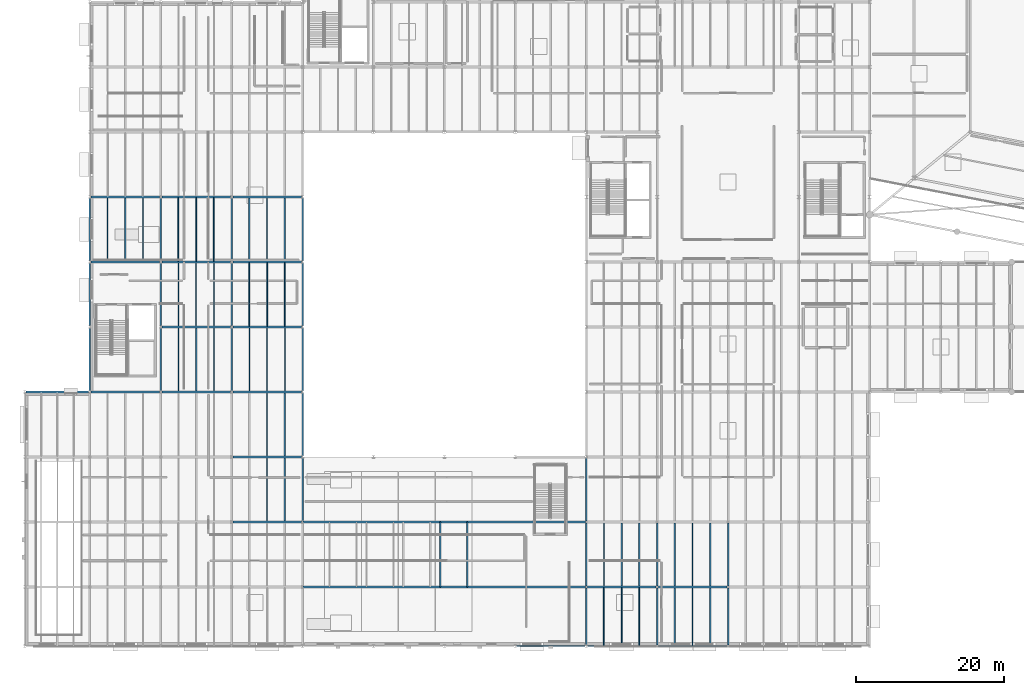
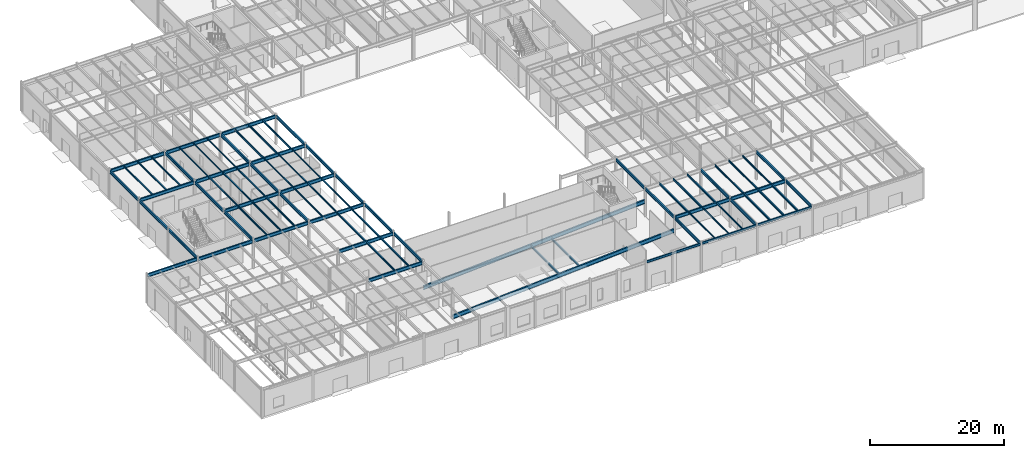
# One storey, part 19 of 70: 81 beams.
"""IFC4 building model written with IfcOpenShell, lengths in metres."""

from ifc_helpers import new_model, si_unit, direction, frame, origin, origin_2d, place, context, subcontext, project, spatial, i_section, extrude, material, material_profile, profile_set, type_object, element, save


model = new_model("IFC4")

# Units and contexts
model_context = context("Model", 3, precision=1e-05, world=origin(), true_north=direction((0.0, 1.0)))
body_context = subcontext(model_context, "Body", "Model", "MODEL_VIEW")
ifc_project = project(units=[si_unit("LENGTHUNIT", "METRE"), si_unit("AREAUNIT", "SQUARE_METRE"), si_unit("VOLUMEUNIT", "CUBIC_METRE"), si_unit("PLANEANGLEUNIT", "RADIAN"), si_unit("MASSUNIT", "GRAM", prefix="KILO")], contexts=[model_context])

# Site, building, storey
site_placement = place(None, origin())
site = spatial("IfcSite", under=ifc_project, at=site_placement, CompositionType="ELEMENT")
building_placement = place(site_placement, origin())
building = spatial("IfcBuilding", under=site, at=building_placement, Name="Sarnbrook Museum", CompositionType="ELEMENT")
storey_placement = place(building_placement, origin())
storey = spatial("IfcBuildingStorey", under=building, at=storey_placement, Name="L00", CompositionType="ELEMENT", Elevation=0.0)

# Beams
ifc_material_1 = material(Name="Structural Steel Grade 300PLUS (AS/NZS 3679.1, fy = 280 MPa for 17 < t <= 40 mm, 300 MPa for t <= 17 mm)", Category="steel")
ifc_material_profile_1 = material_profile(ifc_material_1, i_section(OverallWidth=0.208984375, OverallDepth=0.532958984375, WebThickness=0.01025390625, FlangeThickness=0.015625, FilletRadius=0.013916015625, at=origin_2d()), Name="530UB92.4")
ifc_profile_set_1 = profile_set([ifc_material_profile_1], Name="Structural Steel Grade 300PLUS (AS/NZS 3679.1, fy = 280 MPa for 17 < t <= 40 mm, 300 MPa for t <= 17 mm)")
beam_type_1 = type_object("IfcBeamType", Name="BM-UB530", PredefinedType="BEAM", material=ifc_profile_set_1)
for number, where, z_axis, x_axis, name in (
    (1, (13.60009765625, 39.363525390625, 5.08349609375), (0.0, 1.0, 0.0), (-1.0, 0.0, 0.0), "Girder 2:E-F L00"),
    (2, (13.60009765625, 48.16357421875, 5.08349609375), (0.0, 1.0, 0.0), (-1.0, 0.0, 0.0), "Girder 2:F-G L00"),
):
    element("IfcBeam", number, at=place(storey_placement, frame(where, z_axis=z_axis, x_axis=x_axis)), inside=storey, type_object=beam_type_1, Name=name, PredefinedType="BEAM", context=body_context, shape_type="SweptSolid", body=[
        extrude(i_section(OverallWidth=0.208984375, OverallDepth=0.532958984375, WebThickness=0.01025390625, FlangeThickness=0.015625, FilletRadius=0.013916015625, at=origin_2d()), origin(), (0.0, 0.0, 1.0), 8.472900390625),
    ])
beam_1_placement = place(storey_placement, frame((13.60009765625, 56.96337890625, 5.08349609375), z_axis=(0.0, 1.0, 0.0), x_axis=(-1.0, 0.0, 0.0)))
element("IfcBeam", 3, at=beam_1_placement, inside=storey, type_object=beam_type_1, Name="Girder 2:G-H L00", PredefinedType="BEAM", context=body_context, shape_type="SweptSolid", body=[
    extrude(i_section(OverallWidth=0.208984375, OverallDepth=0.532958984375, WebThickness=0.01025390625, FlangeThickness=0.015625, FilletRadius=0.013916015625, at=origin_2d()), origin(), (0.0, 0.0, 1.0), 8.47314453125),
])
for number, where, z_axis, x_axis, name in (
    (4, (23.199951171875, 39.363525390625, 5.08349609375), (0.0, 1.0, 0.0), (-1.0, 0.0, 0.0), "Girder 3:E-F L00"),
    (5, (23.199951171875, 48.16357421875, 5.08349609375), (0.0, 1.0, 0.0), (-1.0, 0.0, 0.0), "Girder 3:F-G L00"),
):
    element("IfcBeam", number, at=place(storey_placement, frame(where, z_axis=z_axis, x_axis=x_axis)), inside=storey, type_object=beam_type_1, Name=name, PredefinedType="BEAM", context=body_context, shape_type="SweptSolid", body=[
        extrude(i_section(OverallWidth=0.208984375, OverallDepth=0.532958984375, WebThickness=0.01025390625, FlangeThickness=0.015625, FilletRadius=0.013916015625, at=origin_2d()), origin(), (0.0, 0.0, 1.0), 8.472900390625),
    ])
beam_2_placement = place(storey_placement, frame((23.199951171875, 56.96337890625, 5.08349609375), z_axis=(0.0, 1.0, 0.0), x_axis=(-1.0, 0.0, 0.0)))
element("IfcBeam", 6, at=beam_2_placement, inside=storey, type_object=beam_type_1, Name="Girder 3:G-H L00", PredefinedType="BEAM", context=body_context, shape_type="SweptSolid", body=[
    extrude(i_section(OverallWidth=0.208984375, OverallDepth=0.532958984375, WebThickness=0.01025390625, FlangeThickness=0.015625, FilletRadius=0.013916015625, at=origin_2d()), origin(), (0.0, 0.0, 1.0), 8.47314453125),
])
for number, where, z_axis, x_axis, name in (
    (7, (32.800048828125, 39.363525390625, 5.08349609375), (0.0, 1.0, 0.0), (-1.0, 0.0, 0.0), "Girder 4:E-F L00"),
    (8, (32.800048828125, 48.16357421875, 5.08349609375), (0.0, 1.0, 0.0), (-1.0, 0.0, 0.0), "Girder 4:F-G L00"),
):
    element("IfcBeam", number, at=place(storey_placement, frame(where, z_axis=z_axis, x_axis=x_axis)), inside=storey, type_object=beam_type_1, Name=name, PredefinedType="BEAM", context=body_context, shape_type="SweptSolid", body=[
        extrude(i_section(OverallWidth=0.208984375, OverallDepth=0.532958984375, WebThickness=0.01025390625, FlangeThickness=0.015625, FilletRadius=0.013916015625, at=origin_2d()), origin(), (0.0, 0.0, 1.0), 8.472900390625),
    ])
beam_3_placement = place(storey_placement, frame((32.800048828125, 56.96337890625, 5.08349609375), z_axis=(0.0, 1.0, 0.0), x_axis=(-1.0, 0.0, 0.0)))
element("IfcBeam", 9, at=beam_3_placement, inside=storey, type_object=beam_type_1, Name="Girder 4:G-H L00", PredefinedType="BEAM", context=body_context, shape_type="SweptSolid", body=[
    extrude(i_section(OverallWidth=0.208984375, OverallDepth=0.532958984375, WebThickness=0.01025390625, FlangeThickness=0.015625, FilletRadius=0.013916015625, at=origin_2d()), origin(), (0.0, 0.0, 1.0), 8.47314453125),
])
beam_4_placement = place(storey_placement, frame((42.39990234375, 21.757568359375, 5.013427734375), z_axis=(0.0, 1.0, 0.0), x_axis=(-1.0, 0.0, 0.0)))
element("IfcBeam", 10, at=beam_4_placement, inside=storey, type_object=beam_type_1, Name="Girder 5:C-D L00", PredefinedType="BEAM", context=body_context, shape_type="SweptSolid", body=[
    extrude(i_section(OverallWidth=0.208984375, OverallDepth=0.532958984375, WebThickness=0.01025390625, FlangeThickness=0.015625, FilletRadius=0.013916015625, at=origin_2d()), origin(), (0.0, 0.0, 1.0), 8.47900390625),
])
beam_5_placement = place(storey_placement, frame((42.39990234375, 30.5634765625, 5.013427734375), z_axis=(0.0, 1.0, 0.0), x_axis=(-1.0, 0.0, 0.0)))
element("IfcBeam", 11, at=beam_5_placement, inside=storey, type_object=beam_type_1, Name="Girder 5:D-E L00", PredefinedType="BEAM", context=body_context, shape_type="SweptSolid", body=[
    extrude(i_section(OverallWidth=0.208984375, OverallDepth=0.532958984375, WebThickness=0.01025390625, FlangeThickness=0.015625, FilletRadius=0.013916015625, at=origin_2d()), origin(), (0.0, 0.0, 1.0), 8.47314453125),
])
for number, where, z_axis, x_axis, name in (
    (12, (42.39990234375, 39.363525390625, 5.08349609375), (0.0, 1.0, 0.0), (-1.0, 0.0, 0.0), "Girder 5:E-F L00"),
    (13, (42.39990234375, 48.16357421875, 5.08349609375), (0.0, 1.0, 0.0), (-1.0, 0.0, 0.0), "Girder 5:F-G L00"),
):
    element("IfcBeam", number, at=place(storey_placement, frame(where, z_axis=z_axis, x_axis=x_axis)), inside=storey, type_object=beam_type_1, Name=name, PredefinedType="BEAM", context=body_context, shape_type="SweptSolid", body=[
        extrude(i_section(OverallWidth=0.208984375, OverallDepth=0.532958984375, WebThickness=0.01025390625, FlangeThickness=0.015625, FilletRadius=0.013916015625, at=origin_2d()), origin(), (0.0, 0.0, 1.0), 8.472900390625),
    ])
beam_6_placement = place(storey_placement, frame((42.39990234375, 56.96337890625, 5.08349609375), z_axis=(0.0, 1.0, 0.0), x_axis=(-1.0, 0.0, 0.0)))
element("IfcBeam", 14, at=beam_6_placement, inside=storey, type_object=beam_type_1, Name="Girder 5:G-H L00", PredefinedType="BEAM", context=body_context, shape_type="SweptSolid", body=[
    extrude(i_section(OverallWidth=0.208984375, OverallDepth=0.532958984375, WebThickness=0.01025390625, FlangeThickness=0.015625, FilletRadius=0.013916015625, at=origin_2d()), origin(), (0.0, 0.0, 1.0), 8.47314453125),
])
beam_7_placement = place(storey_placement, frame((80.800048828125, 4.96337890625, 5.08349609375), z_axis=(0.0, 1.0, 0.0), x_axis=(-1.0, 0.0, 0.0)))
element("IfcBeam", 15, at=beam_7_placement, inside=storey, type_object=beam_type_1, Name="Girder 9:A-B L00", PredefinedType="BEAM", context=body_context, shape_type="SweptSolid", body=[
    extrude(i_section(OverallWidth=0.208984375, OverallDepth=0.532958984375, WebThickness=0.01025390625, FlangeThickness=0.015625, FilletRadius=0.013916015625, at=origin_2d()), origin(), (0.0, 0.0, 1.0), 7.70654296875),
])
beam_8_placement = place(storey_placement, frame((80.800048828125, 12.929931640625, 5.08349609375), z_axis=(0.0, 1.0, 0.0), x_axis=(-1.0, 0.0, 0.0)))
element("IfcBeam", 16, at=beam_8_placement, inside=storey, type_object=beam_type_1, Name="Girder 9:B-C L00", PredefinedType="BEAM", context=body_context, shape_type="SweptSolid", body=[
    extrude(i_section(OverallWidth=0.208984375, OverallDepth=0.532958984375, WebThickness=0.01025390625, FlangeThickness=0.015625, FilletRadius=0.013916015625, at=origin_2d()), origin(), (0.0, 0.0, 1.0), 8.5400390625),
])
beam_9_placement = place(storey_placement, frame((80.800048828125, 21.72998046875, 5.08349609375), z_axis=(0.0, 1.0, 0.0), x_axis=(-1.0, 0.0, 0.0)))
element("IfcBeam", 17, at=beam_9_placement, inside=storey, type_object=beam_type_1, Name="Girder 9:C-D L00", PredefinedType="BEAM", context=body_context, shape_type="SweptSolid", body=[
    extrude(i_section(OverallWidth=0.208984375, OverallDepth=0.532958984375, WebThickness=0.01025390625, FlangeThickness=0.015625, FilletRadius=0.013916015625, at=origin_2d()), origin(), (0.0, 0.0, 1.0), 8.506591796875),
])
beam_10_placement = place(storey_placement, frame((90.39990234375, 4.929931640625, 5.12353515625), z_axis=(0.0, 1.0, 0.0), x_axis=(-1.0, 0.0, 0.0)))
element("IfcBeam", 18, at=beam_10_placement, inside=storey, type_object=beam_type_1, Name="Girder 10:A-B L00", PredefinedType="BEAM", context=body_context, shape_type="SweptSolid", body=[
    extrude(i_section(OverallWidth=0.208984375, OverallDepth=0.532958984375, WebThickness=0.01025390625, FlangeThickness=0.015625, FilletRadius=0.013916015625, at=origin_2d()), origin(), (0.0, 0.0, 1.0), 7.739990234375),
])
beam_11_placement = place(storey_placement, frame((90.39990234375, 12.929931640625, 5.12353515625), z_axis=(0.0, 1.0, 0.0), x_axis=(-1.0, 0.0, 0.0)))
element("IfcBeam", 19, at=beam_11_placement, inside=storey, type_object=beam_type_1, Name="Girder 10:B-C L00", PredefinedType="BEAM", context=body_context, shape_type="SweptSolid", body=[
    extrude(i_section(OverallWidth=0.208984375, OverallDepth=0.532958984375, WebThickness=0.01025390625, FlangeThickness=0.015625, FilletRadius=0.013916015625, at=origin_2d()), origin(), (0.0, 0.0, 1.0), 8.5400390625),
])
beam_12_placement = place(storey_placement, frame((100.0, 4.929931640625, 5.12353515625), z_axis=(0.0, 1.0, 0.0), x_axis=(-1.0, 0.0, 0.0)))
element("IfcBeam", 20, at=beam_12_placement, inside=storey, type_object=beam_type_1, Name="Girder 11:A-B L00", PredefinedType="BEAM", context=body_context, shape_type="SweptSolid", body=[
    extrude(i_section(OverallWidth=0.208984375, OverallDepth=0.532958984375, WebThickness=0.01025390625, FlangeThickness=0.015625, FilletRadius=0.013916015625, at=origin_2d()), origin(), (0.0, 0.0, 1.0), 7.739990234375),
])
beam_13_placement = place(storey_placement, frame((100.0, 12.929931640625, 5.12353515625), z_axis=(0.0, 1.0, 0.0), x_axis=(-1.0, 0.0, 0.0)))
element("IfcBeam", 21, at=beam_13_placement, inside=storey, type_object=beam_type_1, Name="Girder 11:B-C L00", PredefinedType="BEAM", context=body_context, shape_type="SweptSolid", body=[
    extrude(i_section(OverallWidth=0.208984375, OverallDepth=0.532958984375, WebThickness=0.01025390625, FlangeThickness=0.015625, FilletRadius=0.013916015625, at=origin_2d()), origin(), (0.0, 0.0, 1.0), 8.5400390625),
])
ifc_material_profile_2 = material_profile(ifc_material_1, i_section(OverallWidth=0.22900390625, OverallDepth=0.612060546875, WebThickness=0.011962890625, FlangeThickness=0.01953125, FilletRadius=0.013916015625, at=origin_2d()), Name="610UB125")
ifc_profile_set_2 = profile_set([ifc_material_profile_2], Name="Structural Steel Grade 300PLUS (AS/NZS 3679.1, fy = 280 MPa for 17 < t <= 40 mm, 300 MPa for t <= 17 mm)")
beam_type_2 = type_object("IfcBeamType", Name="BM-UB610H", PredefinedType="BEAM", material=ifc_profile_set_2)
for number, where, z_axis, x_axis, name in (
    (22, (80.927978515625, 12.800048828125, 5.083984375), (1.0, 0.0, 0.0), (0.0, 1.0, 0.0), "Girder B:9-10 L00"),
    (23, (90.528076171875, 12.800048828125, 5.083984375), (1.0, 0.0, 0.0), (0.0, 1.0, 0.0), "Girder B:10-11 L00"),
):
    element("IfcBeam", number, at=place(storey_placement, frame(where, z_axis=z_axis, x_axis=x_axis)), inside=storey, type_object=beam_type_2, Name=name, PredefinedType="BEAM", context=body_context, shape_type="SweptSolid", body=[
        extrude(i_section(OverallWidth=0.22900390625, OverallDepth=0.612060546875, WebThickness=0.011962890625, FlangeThickness=0.01953125, FilletRadius=0.013916015625, at=origin_2d()), origin(), (0.0, 0.0, 1.0), 9.343994140625),
    ])
beam_14_placement = place(storey_placement, frame((32.95361328125, 21.60009765625, 4.97412109375), z_axis=(1.0, 0.0, 0.0), x_axis=(0.0, 1.0, 0.0)))
element("IfcBeam", 24, at=beam_14_placement, inside=storey, type_object=beam_type_2, Name="Girder C:4-5 L00", PredefinedType="BEAM", context=body_context, shape_type="SweptSolid", body=[
    extrude(i_section(OverallWidth=0.22900390625, OverallDepth=0.612060546875, WebThickness=0.011962890625, FlangeThickness=0.01953125, FilletRadius=0.013916015625, at=origin_2d()), origin(), (0.0, 0.0, 1.0), 9.29296875),
])
beam_15_placement = place(storey_placement, frame((32.95361328125, 30.39990234375, 4.97412109375), z_axis=(1.0, 0.0, 0.0), x_axis=(0.0, 1.0, 0.0)))
element("IfcBeam", 25, at=beam_15_placement, inside=storey, type_object=beam_type_2, Name="Girder D:4-5 L00", PredefinedType="BEAM", context=body_context, shape_type="SweptSolid", body=[
    extrude(i_section(OverallWidth=0.22900390625, OverallDepth=0.612060546875, WebThickness=0.011962890625, FlangeThickness=0.01953125, FilletRadius=0.013916015625, at=origin_2d()), origin(), (0.0, 0.0, 1.0), 9.290771484375),
])
beam_16_placement = place(storey_placement, frame((4.95361328125, 39.199951171875, 5.083984375), z_axis=(1.0, 0.0, 0.0), x_axis=(0.0, 1.0, 0.0)))
element("IfcBeam", 26, at=beam_16_placement, inside=storey, type_object=beam_type_2, Name="Girder E:1-2 L00", PredefinedType="BEAM", context=body_context, shape_type="SweptSolid", body=[
    extrude(i_section(OverallWidth=0.22900390625, OverallDepth=0.612060546875, WebThickness=0.011962890625, FlangeThickness=0.01953125, FilletRadius=0.013916015625, at=origin_2d()), origin(), (0.0, 0.0, 1.0), 8.490966796875),
])
beam_17_placement = place(storey_placement, frame((13.755615234375, 39.199951171875, 4.97412109375), z_axis=(1.0, 0.0, 0.0), x_axis=(0.0, 1.0, 0.0)))
element("IfcBeam", 27, at=beam_17_placement, inside=storey, type_object=beam_type_2, Name="Girder E:2-3 L00", PredefinedType="BEAM", context=body_context, shape_type="SweptSolid", body=[
    extrude(i_section(OverallWidth=0.22900390625, OverallDepth=0.612060546875, WebThickness=0.011962890625, FlangeThickness=0.01953125, FilletRadius=0.013916015625, at=origin_2d()), origin(), (0.0, 0.0, 1.0), 9.288818359375),
])
beam_18_placement = place(storey_placement, frame((23.35546875, 39.199951171875, 4.97412109375), z_axis=(1.0, 0.0, 0.0), x_axis=(0.0, 1.0, 0.0)))
element("IfcBeam", 28, at=beam_18_placement, inside=storey, type_object=beam_type_2, Name="Girder E:3-4 L00", PredefinedType="BEAM", context=body_context, shape_type="SweptSolid", body=[
    extrude(i_section(OverallWidth=0.22900390625, OverallDepth=0.612060546875, WebThickness=0.011962890625, FlangeThickness=0.01953125, FilletRadius=0.013916015625, at=origin_2d()), origin(), (0.0, 0.0, 1.0), 9.2890625),
])
beam_19_placement = place(storey_placement, frame((32.95556640625, 39.199951171875, 4.97412109375), z_axis=(1.0, 0.0, 0.0), x_axis=(0.0, 1.0, 0.0)))
element("IfcBeam", 29, at=beam_19_placement, inside=storey, type_object=beam_type_2, Name="Girder E:4-5 L00", PredefinedType="BEAM", context=body_context, shape_type="SweptSolid", body=[
    extrude(i_section(OverallWidth=0.22900390625, OverallDepth=0.612060546875, WebThickness=0.011962890625, FlangeThickness=0.01953125, FilletRadius=0.013916015625, at=origin_2d()), origin(), (0.0, 0.0, 1.0), 9.288818359375),
])
beam_20_placement = place(storey_placement, frame((23.35546875, 48.0, 5.0439453125), z_axis=(1.0, 0.0, 0.0), x_axis=(0.0, 1.0, 0.0)))
element("IfcBeam", 30, at=beam_20_placement, inside=storey, type_object=beam_type_2, Name="Girder F:3-4 L00", PredefinedType="BEAM", context=body_context, shape_type="SweptSolid", body=[
    extrude(i_section(OverallWidth=0.22900390625, OverallDepth=0.612060546875, WebThickness=0.011962890625, FlangeThickness=0.01953125, FilletRadius=0.013916015625, at=origin_2d()), origin(), (0.0, 0.0, 1.0), 9.2890625),
])
for number, where, z_axis, x_axis, name in (
    (31, (32.95556640625, 48.0, 5.0439453125), (1.0, 0.0, 0.0), (0.0, 1.0, 0.0), "Girder F:4-5 L00"),
    (32, (13.755615234375, 56.800048828125, 5.0439453125), (1.0, 0.0, 0.0), (0.0, 1.0, 0.0), "Girder G:2-3 L00"),
):
    element("IfcBeam", number, at=place(storey_placement, frame(where, z_axis=z_axis, x_axis=x_axis)), inside=storey, type_object=beam_type_2, Name=name, PredefinedType="BEAM", context=body_context, shape_type="SweptSolid", body=[
        extrude(i_section(OverallWidth=0.22900390625, OverallDepth=0.612060546875, WebThickness=0.011962890625, FlangeThickness=0.01953125, FilletRadius=0.013916015625, at=origin_2d()), origin(), (0.0, 0.0, 1.0), 9.288818359375),
    ])
beam_21_placement = place(storey_placement, frame((23.35546875, 56.800048828125, 5.0439453125), z_axis=(1.0, 0.0, 0.0), x_axis=(0.0, 1.0, 0.0)))
element("IfcBeam", 33, at=beam_21_placement, inside=storey, type_object=beam_type_2, Name="Girder G:3-4 L00", PredefinedType="BEAM", context=body_context, shape_type="SweptSolid", body=[
    extrude(i_section(OverallWidth=0.22900390625, OverallDepth=0.612060546875, WebThickness=0.011962890625, FlangeThickness=0.01953125, FilletRadius=0.013916015625, at=origin_2d()), origin(), (0.0, 0.0, 1.0), 9.2890625),
])
for number, where, z_axis, x_axis, name in (
    (34, (32.95556640625, 56.800048828125, 5.0439453125), (1.0, 0.0, 0.0), (0.0, 1.0, 0.0), "Girder G:4-5 L00"),
    (35, (13.755615234375, 65.60009765625, 5.0439453125), (1.0, 0.0, 0.0), (0.0, 1.0, 0.0), "Girder H:2-3 L00"),
):
    element("IfcBeam", number, at=place(storey_placement, frame(where, z_axis=z_axis, x_axis=x_axis)), inside=storey, type_object=beam_type_2, Name=name, PredefinedType="BEAM", context=body_context, shape_type="SweptSolid", body=[
        extrude(i_section(OverallWidth=0.22900390625, OverallDepth=0.612060546875, WebThickness=0.011962890625, FlangeThickness=0.01953125, FilletRadius=0.013916015625, at=origin_2d()), origin(), (0.0, 0.0, 1.0), 9.288818359375),
    ])
beam_22_placement = place(storey_placement, frame((23.35546875, 65.60009765625, 5.0439453125), z_axis=(1.0, 0.0, 0.0), x_axis=(0.0, 1.0, 0.0)))
element("IfcBeam", 36, at=beam_22_placement, inside=storey, type_object=beam_type_2, Name="Girder H:3-4 L00", PredefinedType="BEAM", context=body_context, shape_type="SweptSolid", body=[
    extrude(i_section(OverallWidth=0.22900390625, OverallDepth=0.612060546875, WebThickness=0.011962890625, FlangeThickness=0.01953125, FilletRadius=0.013916015625, at=origin_2d()), origin(), (0.0, 0.0, 1.0), 9.2890625),
])
beam_23_placement = place(storey_placement, frame((32.95556640625, 65.60009765625, 5.0439453125), z_axis=(1.0, 0.0, 0.0), x_axis=(0.0, 1.0, 0.0)))
element("IfcBeam", 37, at=beam_23_placement, inside=storey, type_object=beam_type_2, Name="Girder H:4-5 L00", PredefinedType="BEAM", context=body_context, shape_type="SweptSolid", body=[
    extrude(i_section(OverallWidth=0.22900390625, OverallDepth=0.612060546875, WebThickness=0.011962890625, FlangeThickness=0.01953125, FilletRadius=0.013916015625, at=origin_2d()), origin(), (0.0, 0.0, 1.0), 9.288818359375),
])
ifc_material_2 = material(Name="Structural Steel Grade 350L0 (AS/NZS 3678, fy = 340 MPa for 20 < t <= 40 mm)", Category="steel")
ifc_material_profile_3 = material_profile(ifc_material_2, i_section(OverallWidth=0.25, OverallDepth=0.699951171875, WebThickness=0.010009765625, FlangeThickness=0.01611328125, at=origin_2d()), Name="700WB130")
ifc_profile_set_3 = profile_set([ifc_material_profile_3], Name="Structural Steel Grade 350L0 (AS/NZS 3678, fy = 340 MPa for 20 < t <= 40 mm)")
beam_type_3 = type_object("IfcBeamType", Name="BM-WB700", PredefinedType="BEAM", material=ifc_profile_set_3)
for number, where, z_axis, x_axis, name in (
    (38, (42.4599609375, 12.800048828125, 0.360107421875), (0.998054783355, 0.0, 0.062342998183), (0.0, 1.0, 0.0), "Auditorium Raker Beam L00 Y=12.8"),
    (39, (42.4599609375, 21.60009765625, 0.360107421875), (0.998054783355, 0.0, 0.062342998183), (0.0, 1.0, 0.0), "Auditorium Raker Beam L00 Y=21.6"),
):
    element("IfcBeam", number, at=place(storey_placement, frame(where, z_axis=z_axis, x_axis=x_axis)), inside=storey, type_object=beam_type_3, Name=name, PredefinedType="BEAM", context=body_context, shape_type="SweptSolid", body=[
        extrude(i_section(OverallWidth=0.25, OverallDepth=0.699951171875, WebThickness=0.010009765625, FlangeThickness=0.01611328125, at=origin_2d()), origin(), (0.0, 0.0, 1.0), 38.33447265625),
    ])
ifc_material_profile_4 = material_profile(ifc_material_1, i_section(OverallWidth=0.134033203125, OverallDepth=0.20703125, WebThickness=0.00634765625, FlangeThickness=0.009521484375, FilletRadius=0.0087890625, at=origin_2d()), Name="200UB29.8")
ifc_profile_set_4 = profile_set([ifc_material_profile_4], Name="Structural Steel Grade 300PLUS (AS/NZS 3679.1, fy = 280 MPa for 17 < t <= 40 mm, 300 MPa for t <= 17 mm)")
beam_type_4 = type_object("IfcBeamType", Name="JS-UB200", PredefinedType="JOIST", material=ifc_profile_set_4)
for number, where, z_axis, x_axis, name in (
    (40, (25.60009765625, 56.91455078125, 5.24658203125), (0.0, 1.0, 0.0), (-1.0, 0.0, 0.0), "Composite Floor Joist 3G-1 L00"),
    (41, (28.0, 56.91455078125, 5.24658203125), (0.0, 1.0, 0.0), (-1.0, 0.0, 0.0), "Composite Floor Joist 3G-2 L00"),
    (42, (30.39990234375, 56.91455078125, 5.24658203125), (0.0, 1.0, 0.0), (-1.0, 0.0, 0.0), "Composite Floor Joist 3G-3 L00"),
    (43, (35.199951171875, 48.114501953125, 5.24658203125), (0.0, 1.0, 0.0), (-1.0, 0.0, 0.0), "Composite Floor Joist 4F-1 L00"),
    (44, (37.60009765625, 48.114501953125, 5.24658203125), (0.0, 1.0, 0.0), (-1.0, 0.0, 0.0), "Composite Floor Joist 4F-2 L00"),
    (45, (40.0, 48.114501953125, 5.24658203125), (0.0, 1.0, 0.0), (-1.0, 0.0, 0.0), "Composite Floor Joist 4F-3 L00"),
):
    element("IfcBeam", number, at=place(storey_placement, frame(where, z_axis=z_axis, x_axis=x_axis)), inside=storey, type_object=beam_type_4, Name=name, PredefinedType="JOIST", context=body_context, shape_type="SweptSolid", body=[
        extrude(i_section(OverallWidth=0.134033203125, OverallDepth=0.20703125, WebThickness=0.00634765625, FlangeThickness=0.009521484375, FilletRadius=0.0087890625, at=origin_2d()), origin(), (0.0, 0.0, 1.0), 8.571044921875),
    ])
for number, where, z_axis, x_axis, name in (
    (46, (83.199951171875, 4.888916015625, 5.28662109375), (0.0, 1.0, 0.0), (-1.0, 0.0, 0.0), "Composite Floor Joist 9A-1 L00"),
    (47, (85.60009765625, 4.888916015625, 5.28662109375), (0.0, 1.0, 0.0), (-1.0, 0.0, 0.0), "Composite Floor Joist 9A-2 L00"),
    (48, (88.0, 4.888916015625, 5.28662109375), (0.0, 1.0, 0.0), (-1.0, 0.0, 0.0), "Composite Floor Joist 9A-3 L00"),
):
    element("IfcBeam", number, at=place(storey_placement, frame(where, z_axis=z_axis, x_axis=x_axis)), inside=storey, type_object=beam_type_4, Name=name, PredefinedType="JOIST", context=body_context, shape_type="SweptSolid", body=[
        extrude(i_section(OverallWidth=0.134033203125, OverallDepth=0.20703125, WebThickness=0.00634765625, FlangeThickness=0.009521484375, FilletRadius=0.0087890625, at=origin_2d()), origin(), (0.0, 0.0, 1.0), 7.796630859375),
    ])
ifc_material_profile_5 = material_profile(ifc_material_1, i_section(OverallWidth=0.14599609375, OverallDepth=0.256103515625, WebThickness=0.00634765625, FlangeThickness=0.010986328125, FilletRadius=0.0087890625, at=origin_2d()), Name="250UB37.3")
ifc_profile_set_5 = profile_set([ifc_material_profile_5], Name="Structural Steel Grade 300PLUS (AS/NZS 3679.1, fy = 280 MPa for 17 < t <= 40 mm, 300 MPa for t <= 17 mm)")
beam_type_5 = type_object("IfcBeamType", Name="JS-UB250", PredefinedType="JOIST", material=ifc_profile_set_5)
for number, where, z_axis, x_axis, name in (
    (49, (16.0, 56.91455078125, 5.221923828125), (0.0, 1.0, 0.0), (-1.0, 0.0, 0.0), "Composite Floor Joist 2G-1 L00"),
    (50, (18.39990234375, 56.91455078125, 5.221923828125), (0.0, 1.0, 0.0), (-1.0, 0.0, 0.0), "Composite Floor Joist 2G-2 L00"),
    (51, (20.800048828125, 56.91455078125, 5.221923828125), (0.0, 1.0, 0.0), (-1.0, 0.0, 0.0), "Composite Floor Joist 2G-3 L00"),
    (52, (25.60009765625, 48.114501953125, 5.221923828125), (0.0, 1.0, 0.0), (-1.0, 0.0, 0.0), "Composite Floor Joist 3F-1 L00"),
    (53, (28.0, 48.114501953125, 5.221923828125), (0.0, 1.0, 0.0), (-1.0, 0.0, 0.0), "Composite Floor Joist 3F-2 L00"),
    (54, (30.39990234375, 48.114501953125, 5.221923828125), (0.0, 1.0, 0.0), (-1.0, 0.0, 0.0), "Composite Floor Joist 3F-3 L00"),
    (55, (35.199951171875, 39.314453125, 5.221923828125), (0.0, 1.0, 0.0), (-1.0, 0.0, 0.0), "Composite Floor Joist 4E-1 L00"),
    (56, (37.60009765625, 39.314453125, 5.221923828125), (0.0, 1.0, 0.0), (-1.0, 0.0, 0.0), "Composite Floor Joist 4E-2 L00"),
    (57, (40.0, 39.314453125, 5.221923828125), (0.0, 1.0, 0.0), (-1.0, 0.0, 0.0), "Composite Floor Joist 4E-3 L00"),
):
    element("IfcBeam", number, at=place(storey_placement, frame(where, z_axis=z_axis, x_axis=x_axis)), inside=storey, type_object=beam_type_5, Name=name, PredefinedType="JOIST", context=body_context, shape_type="SweptSolid", body=[
        extrude(i_section(OverallWidth=0.14599609375, OverallDepth=0.256103515625, WebThickness=0.00634765625, FlangeThickness=0.010986328125, FilletRadius=0.0087890625, at=origin_2d()), origin(), (0.0, 0.0, 1.0), 8.571044921875),
    ])
ifc_material_profile_6 = material_profile(ifc_material_1, i_section(OverallWidth=0.1650390625, OverallDepth=0.303955078125, WebThickness=0.006103515625, FlangeThickness=0.01025390625, FilletRadius=0.011474609375, at=origin_2d()), Name="310UB40.4")
ifc_profile_set_6 = profile_set([ifc_material_profile_6], Name="Structural Steel Grade 300PLUS (AS/NZS 3679.1, fy = 280 MPa for 17 < t <= 40 mm, 300 MPa for t <= 17 mm)")
beam_type_6 = type_object("IfcBeamType", Name="JS-UB310", PredefinedType="JOIST", material=ifc_profile_set_6)
for number, where, z_axis, x_axis, name in (
    (58, (25.60009765625, 39.314453125, 5.197998046875), (0.0, 1.0, 0.0), (-1.0, 0.0, 0.0), "Composite Floor Joist 3E-1 L00"),
    (59, (28.0, 39.314453125, 5.197998046875), (0.0, 1.0, 0.0), (-1.0, 0.0, 0.0), "Composite Floor Joist 3E-2 L00"),
    (60, (30.39990234375, 39.314453125, 5.197998046875), (0.0, 1.0, 0.0), (-1.0, 0.0, 0.0), "Composite Floor Joist 3E-3 L00"),
    (61, (37.60009765625, 30.514404296875, 5.1279296875), (0.0, 1.0, 0.0), (-1.0, 0.0, 0.0), "Composite Floor Joist 4D-2 L00"),
    (62, (40.0, 30.514404296875, 5.1279296875), (0.0, 1.0, 0.0), (-1.0, 0.0, 0.0), "Composite Floor Joist 4D-3 L00"),
):
    element("IfcBeam", number, at=place(storey_placement, frame(where, z_axis=z_axis, x_axis=x_axis)), inside=storey, type_object=beam_type_6, Name=name, PredefinedType="JOIST", context=body_context, shape_type="SweptSolid", body=[
        extrude(i_section(OverallWidth=0.1650390625, OverallDepth=0.303955078125, WebThickness=0.006103515625, FlangeThickness=0.01025390625, FilletRadius=0.011474609375, at=origin_2d()), origin(), (0.0, 0.0, 1.0), 8.571044921875),
    ])
ifc_material_profile_7 = material_profile(ifc_material_1, i_section(OverallWidth=0.166015625, OverallDepth=0.306884765625, WebThickness=0.006591796875, FlangeThickness=0.01171875, FilletRadius=0.011474609375, at=origin_2d()), Name="310UB46.2")
ifc_profile_set_7 = profile_set([ifc_material_profile_7], Name="Structural Steel Grade 300PLUS (AS/NZS 3679.1, fy = 280 MPa for 17 < t <= 40 mm, 300 MPa for t <= 17 mm)")
beam_type_7 = type_object("IfcBeamType", Name="JS-UB310H", PredefinedType="JOIST", material=ifc_profile_set_7)
for number, where, z_axis, x_axis, name in (
    (63, (37.60009765625, 21.714599609375, 5.12646484375), (0.0, 1.0, 0.0), (-1.0, 0.0, 0.0), "Composite Floor Joist 4C-2 L00"),
    (64, (40.0, 21.714599609375, 5.12646484375), (0.0, 1.0, 0.0), (-1.0, 0.0, 0.0), "Composite Floor Joist 4C-3 L00"),
):
    element("IfcBeam", number, at=place(storey_placement, frame(where, z_axis=z_axis, x_axis=x_axis)), inside=storey, type_object=beam_type_7, Name=name, PredefinedType="JOIST", context=body_context, shape_type="SweptSolid", body=[
        extrude(i_section(OverallWidth=0.166015625, OverallDepth=0.306884765625, WebThickness=0.006591796875, FlangeThickness=0.01171875, FilletRadius=0.011474609375, at=origin_2d()), origin(), (0.0, 0.0, 1.0), 8.57080078125),
    ])
for number, where, z_axis, x_axis, name in (
    (65, (92.800048828125, 12.91455078125, 5.236572265625), (0.0, 1.0, 0.0), (-1.0, 0.0, 0.0), "Composite Floor Joist 10B-1 L00"),
    (66, (95.199951171875, 12.91455078125, 5.236572265625), (0.0, 1.0, 0.0), (-1.0, 0.0, 0.0), "Composite Floor Joist 10B-2 L00"),
    (67, (97.60009765625, 12.91455078125, 5.236572265625), (0.0, 1.0, 0.0), (-1.0, 0.0, 0.0), "Composite Floor Joist 10B-3 L00"),
):
    element("IfcBeam", number, at=place(storey_placement, frame(where, z_axis=z_axis, x_axis=x_axis)), inside=storey, type_object=beam_type_7, Name=name, PredefinedType="JOIST", context=body_context, shape_type="SweptSolid", body=[
        extrude(i_section(OverallWidth=0.166015625, OverallDepth=0.306884765625, WebThickness=0.006591796875, FlangeThickness=0.01171875, FilletRadius=0.011474609375, at=origin_2d()), origin(), (0.0, 0.0, 1.0), 8.571044921875),
    ])
ifc_material_profile_8 = material_profile(ifc_material_1, i_section(OverallWidth=0.1708984375, OverallDepth=0.35595703125, WebThickness=0.00732421875, FlangeThickness=0.011474609375, FilletRadius=0.011474609375, at=origin_2d()), Name="360UB50.7")
ifc_profile_set_8 = profile_set([ifc_material_profile_8], Name="Structural Steel Grade 300PLUS (AS/NZS 3679.1, fy = 280 MPa for 17 < t <= 40 mm, 300 MPa for t <= 17 mm)")
beam_type_8 = type_object("IfcBeamType", Name="JS-UB360", PredefinedType="JOIST", material=ifc_profile_set_8)
for number, where, z_axis, x_axis, name in (
    (68, (35.199951171875, 56.91455078125, 5.172119140625), (0.0, 1.0, 0.0), (-1.0, 0.0, 0.0), "Composite Floor Joist 4G-1 L00"),
    (69, (37.60009765625, 56.91455078125, 5.172119140625), (0.0, 1.0, 0.0), (-1.0, 0.0, 0.0), "Composite Floor Joist 4G-2 L00"),
    (70, (40.0, 56.91455078125, 5.172119140625), (0.0, 1.0, 0.0), (-1.0, 0.0, 0.0), "Composite Floor Joist 4G-3 L00"),
    (71, (83.199951171875, 12.91455078125, 5.2119140625), (0.0, 1.0, 0.0), (-1.0, 0.0, 0.0), "Composite Floor Joist 9B-1 L00"),
    (72, (85.60009765625, 12.91455078125, 5.2119140625), (0.0, 1.0, 0.0), (-1.0, 0.0, 0.0), "Composite Floor Joist 9B-2 L00"),
    (73, (88.0, 12.91455078125, 5.2119140625), (0.0, 1.0, 0.0), (-1.0, 0.0, 0.0), "Composite Floor Joist 9B-3 L00"),
):
    element("IfcBeam", number, at=place(storey_placement, frame(where, z_axis=z_axis, x_axis=x_axis)), inside=storey, type_object=beam_type_8, Name=name, PredefinedType="JOIST", context=body_context, shape_type="SweptSolid", body=[
        extrude(i_section(OverallWidth=0.1708984375, OverallDepth=0.35595703125, WebThickness=0.00732421875, FlangeThickness=0.011474609375, FilletRadius=0.011474609375, at=origin_2d()), origin(), (0.0, 0.0, 1.0), 8.571044921875),
    ])
for number, where, z_axis, x_axis, name in (
    (74, (92.800048828125, 4.888916015625, 5.2119140625), (0.0, 1.0, 0.0), (-1.0, 0.0, 0.0), "Composite Floor Joist 10A-1 L00"),
    (75, (95.199951171875, 4.888916015625, 5.2119140625), (0.0, 1.0, 0.0), (-1.0, 0.0, 0.0), "Composite Floor Joist 10A-2 L00"),
    (76, (97.60009765625, 4.888916015625, 5.2119140625), (0.0, 1.0, 0.0), (-1.0, 0.0, 0.0), "Composite Floor Joist 10A-3 L00"),
):
    element("IfcBeam", number, at=place(storey_placement, frame(where, z_axis=z_axis, x_axis=x_axis)), inside=storey, type_object=beam_type_8, Name=name, PredefinedType="JOIST", context=body_context, shape_type="SweptSolid", body=[
        extrude(i_section(OverallWidth=0.1708984375, OverallDepth=0.35595703125, WebThickness=0.00732421875, FlangeThickness=0.011474609375, FilletRadius=0.011474609375, at=origin_2d()), origin(), (0.0, 0.0, 1.0), 7.796630859375),
    ])
for number, where, z_axis, x_axis, name in (
    (77, (61.050048828125, 12.800048828125, 1.471923828125), (0.0, 1.0, 0.0), (-1.0, 0.0, 0.0), "Auditorium Stalls Tier Bearer 4-1"),
    (78, (64.699951171875, 12.800048828125, 1.471923828125), (0.0, 1.0, 0.0), (-1.0, 0.0, 0.0), "Auditorium Stalls Tier Bearer 4-2"),
):
    element("IfcBeam", number, at=place(storey_placement, frame(where, z_axis=z_axis, x_axis=x_axis)), inside=storey, type_object=beam_type_8, Name=name, PredefinedType="JOIST", context=body_context, shape_type="SweptSolid", body=[
        extrude(i_section(OverallWidth=0.1708984375, OverallDepth=0.35595703125, WebThickness=0.00732421875, FlangeThickness=0.011474609375, FilletRadius=0.011474609375, at=origin_2d()), origin(), (0.0, 0.0, 1.0), 8.800048828125),
    ])
ifc_material_profile_9 = material_profile(ifc_material_1, i_section(OverallWidth=0.177978515625, OverallDepth=0.406005859375, WebThickness=0.0078125, FlangeThickness=0.0126953125, FilletRadius=0.011474609375, at=origin_2d()), Name="410UB59.7")
ifc_profile_set_9 = profile_set([ifc_material_profile_9], Name="Structural Steel Grade 300PLUS (AS/NZS 3679.1, fy = 280 MPa for 17 < t <= 40 mm, 300 MPa for t <= 17 mm)")
beam_type_9 = type_object("IfcBeamType", Name="SP-UB410", PredefinedType="SPANDREL", material=ifc_profile_set_9)
beam_24_placement = place(storey_placement, frame((71.35546875, 4.800048828125, 5.14697265625), z_axis=(1.0, 0.0, 0.0), x_axis=(0.0, 1.0, 0.0)))
element("IfcBeam", 79, at=beam_24_placement, inside=storey, type_object=beam_type_9, Name="Girder A:8-9 L00", PredefinedType="SPANDREL", context=body_context, shape_type="SweptSolid", body=[
    extrude(i_section(OverallWidth=0.177978515625, OverallDepth=0.406005859375, WebThickness=0.0078125, FlangeThickness=0.0126953125, FilletRadius=0.011474609375, at=origin_2d()), origin(), (0.0, 0.0, 1.0), 9.2890625),
])
beam_25_placement = place(storey_placement, frame((80.95556640625, 4.800048828125, 5.18701171875), z_axis=(1.0, 0.0, 0.0), x_axis=(0.0, 1.0, 0.0)))
element("IfcBeam", 80, at=beam_25_placement, inside=storey, type_object=beam_type_9, Name="Girder A:9-10 L00", PredefinedType="SPANDREL", context=body_context, shape_type="SweptSolid", body=[
    extrude(i_section(OverallWidth=0.177978515625, OverallDepth=0.406005859375, WebThickness=0.0078125, FlangeThickness=0.0126953125, FilletRadius=0.011474609375, at=origin_2d()), origin(), (0.0, 0.0, 1.0), 9.31640625),
])
beam_26_placement = place(storey_placement, frame((90.528076171875, 4.800048828125, 5.18701171875), z_axis=(1.0, 0.0, 0.0), x_axis=(0.0, 1.0, 0.0)))
element("IfcBeam", 81, at=beam_26_placement, inside=storey, type_object=beam_type_9, Name="Girder A:10-11 L00", PredefinedType="SPANDREL", context=body_context, shape_type="SweptSolid", body=[
    extrude(i_section(OverallWidth=0.177978515625, OverallDepth=0.406005859375, WebThickness=0.0078125, FlangeThickness=0.0126953125, FilletRadius=0.011474609375, at=origin_2d()), origin(), (0.0, 0.0, 1.0), 9.343994140625),
])

save(model, "model.ifc")
